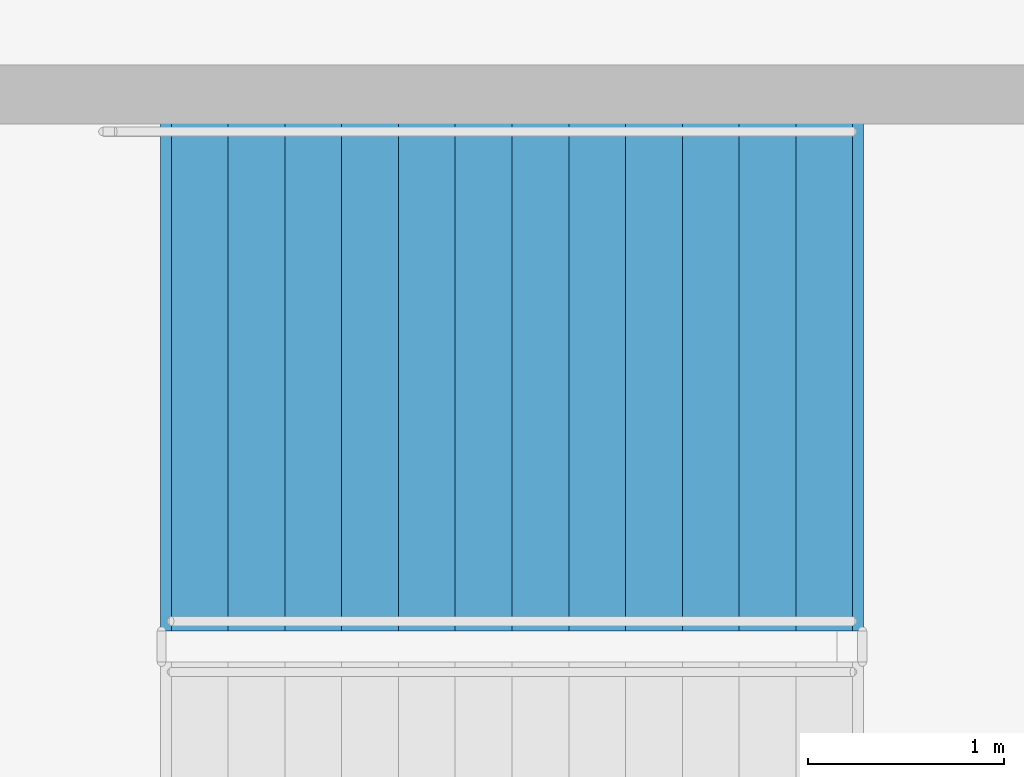
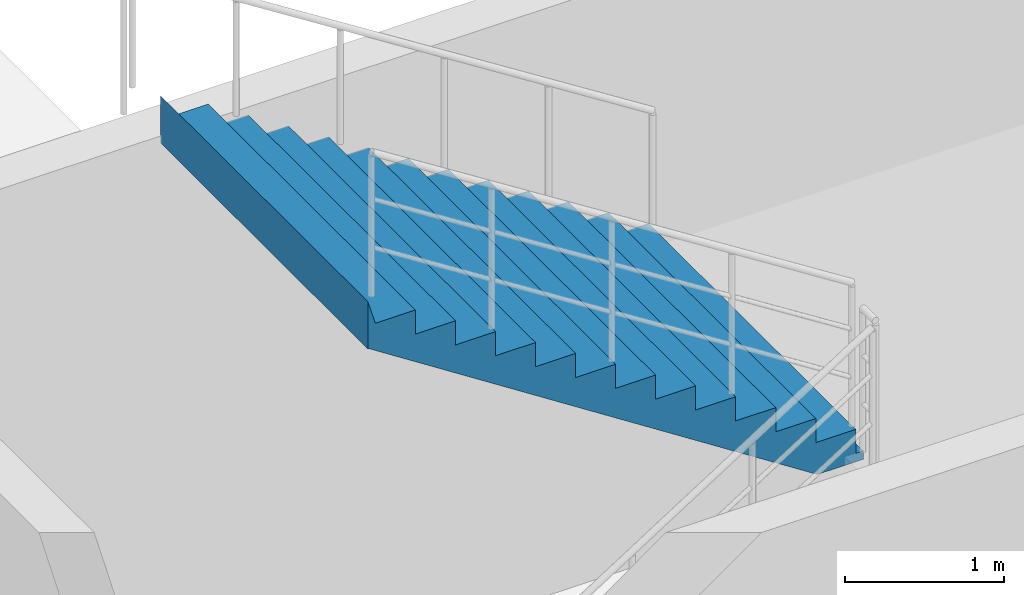
# One storey, part 53 of 68: 1 stair flight, 1 element without a shape of its own.
"""IFC4 building model written with IfcOpenShell, lengths in metres."""

import ifcopenshell
import ifcopenshell.guid

model = None  # the IFC model being written
_history = None  # IfcOwnerHistory: only IFC2X3 demands one
_inside = {}  # id of a spatial element -> (the spatial element, [elements in it])
_under = {}  # id of a project, library or spatial element -> (it, [spatial elements below it])
_declared = {}  # id of a project -> (the project, [libraries it declares])
_typed = {}  # id of a type object -> (the type object, [elements of that type])
_made_of = {}  # id of a material, layer set ... -> (it, [elements and type objects made of it])


def new_model(schema):
    """Start an empty IFC model of exactly this schema.

    Asked for "IFC4X3", IfcOpenShell would pick the latest addendum, in which some entities
    have other attributes; the version numbers below select the first issue.
    IFC2X3 requires an IfcOwnerHistory on every rooted entity: one is made here for all.
    """
    global model, _history
    if schema == "IFC4X3":
        model = ifcopenshell.file(schema_version=(4, 3, 0, 0))
    else:
        model = ifcopenshell.file(schema=schema)
    _inside.clear()
    _under.clear()
    _declared.clear()
    _typed.clear()
    _made_of.clear()
    _history = None
    if model.schema == "IFC2X3":
        org = make("IfcOrganization", Name="unknown")
        user = make(
            "IfcPersonAndOrganization",
            ThePerson=make("IfcPerson", FamilyName="unknown"),
            TheOrganization=org,
        )
        app = make(
            "IfcApplication",
            ApplicationDeveloper=org,
            Version="unknown",
            ApplicationFullName="unknown",
            ApplicationIdentifier="unknown",
        )
        _history = make(
            "IfcOwnerHistory",
            OwningUser=user,
            OwningApplication=app,
            ChangeAction="ADDED",
            CreationDate=0,
        )
    return model


def make(cls, **values):
    """One entity of the class cls with the attributes given. An attribute that is None is left unset."""
    return model.create_entity(
        cls, **{name: value for name, value in values.items() if value is not None}
    )


def rooted(cls, **values):
    """An entity with a GlobalId (a new one), such as an element, a storey or a relation."""
    return make(cls, GlobalId=ifcopenshell.guid.new(), OwnerHistory=_history, **values)


def si_unit(unit_type, name, prefix=None):
    """IfcSIUnit, for example si_unit("LENGTHUNIT", "METRE", prefix="MILLI")."""
    return make("IfcSIUnit", UnitType=unit_type, Prefix=prefix, Name=name)


def assignment(units):
    """IfcUnitAssignment: the units of a project."""
    return None if units is None else make("IfcUnitAssignment", Units=units)


def point(xyz):
    """IfcCartesianPoint."""
    return None if xyz is None else make("IfcCartesianPoint", Coordinates=xyz)


def direction(xyz):
    """IfcDirection."""
    return None if xyz is None else make("IfcDirection", DirectionRatios=xyz)


def frame(location, z_axis=None, x_axis=None):
    """IfcAxis2Placement3D, a coordinate frame: its origin and axes. An axis left out is left unset."""
    return make(
        "IfcAxis2Placement3D",
        Location=point(location),
        Axis=direction(z_axis),
        RefDirection=direction(x_axis),
    )


def origin():
    """The frame at (0, 0, 0) with its axes left unset."""
    return frame((0.0, 0.0, 0.0))


def place(relative_to, where):
    """IfcLocalPlacement: puts the frame where relative to a parent placement (None: the world)."""
    return make(
        "IfcLocalPlacement", PlacementRelTo=relative_to, RelativePlacement=where
    )


def context(
    kind, dimensions, precision=None, world=None, true_north=None, identifier=None
):
    """IfcGeometricRepresentationContext, for example the 3D "Model" context."""
    return make(
        "IfcGeometricRepresentationContext",
        ContextIdentifier=identifier,
        ContextType=kind,
        CoordinateSpaceDimension=dimensions,
        Precision=precision,
        WorldCoordinateSystem=world,
        TrueNorth=true_north,
    )


def subcontext(parent, identifier, kind, view, scale=None):
    """IfcGeometricRepresentationSubContext, for example "Body" below "Model"."""
    return make(
        "IfcGeometricRepresentationSubContext",
        ContextIdentifier=identifier,
        ContextType=kind,
        ParentContext=parent,
        TargetScale=scale,
        TargetView=view,
    )


def project(units=None, contexts=None):
    """IfcProject with its units and contexts."""
    return rooted(
        "IfcProject",
        Name="project",
        RepresentationContexts=contexts,
        UnitsInContext=assignment(units),
    )


def spatial(cls, under=None, at=None, **own):
    """A site, building, storey or space (cls), placed at a placement, below another one or the project."""
    s = rooted(cls, ObjectPlacement=at, **own)
    if under is not None:
        _under.setdefault(under.id(), (under, []))[1].append(s)
    return s


def polyline(points):
    """IfcPolyline through the points."""
    return make("IfcPolyline", Points=[point(p) for p in points])


def outline(outer, holes=None, kind="AREA"):
    """IfcArbitraryClosedProfileDef: a profile drawn as a closed curve; with holes, ...WithVoids."""
    if holes is None:
        return make("IfcArbitraryClosedProfileDef", ProfileType=kind, OuterCurve=outer)
    return make(
        "IfcArbitraryProfileDefWithVoids",
        ProfileType=kind,
        OuterCurve=outer,
        InnerCurves=holes,
    )


def extrude(swept, where, along, depth):
    """IfcExtrudedAreaSolid: the profile swept, set in the frame where, extruded along a direction by depth."""
    return make(
        "IfcExtrudedAreaSolid",
        SweptArea=swept,
        Position=where,
        ExtrudedDirection=direction(along),
        Depth=depth,
    )


def shape(context_of_items, identifier, shape_type, items):
    """IfcShapeRepresentation: the items that make up one representation, for example the "Body"."""
    return make(
        "IfcShapeRepresentation",
        ContextOfItems=context_of_items,
        RepresentationIdentifier=identifier,
        RepresentationType=shape_type,
        Items=items,
    )


def material(Name=None, Category=None):
    """IfcMaterial."""
    return make("IfcMaterial", Name=Name, Category=Category)


def made_of(thing, what):
    """Note that an element or type object is made of a material, layer set ...; save() writes the relation."""
    if what is not None:
        _made_of.setdefault(what.id(), (what, []))[1].append(thing)
    return thing


def type_object(cls, material=None, **own):
    """A type object (cls), such as IfcWallType, which elements share."""
    return made_of(rooted(cls, **own), material)


def element(
    cls,
    number,
    at=None,
    inside=None,
    cuts=None,
    type_object=None,
    material=None,
    context=None,
    identifier="Body",
    shape_type=None,
    held_by="IfcProductDefinitionShape",
    body=None,
    shapes=None,
    **own,
):
    """One element of the class cls, such as IfcWall. Its Tag is "e" and its number.

    at: its placement. inside: the storey or other place that contains it. cuts: it is an
    opening in that element (IfcRelVoidsElement). A single representation is given by context,
    identifier, shape_type and body (its items); several are given by shapes. held_by: the class
    of the entity that holds the representations. save() writes the other relations.
    """
    e = rooted(cls, Tag="e%d" % number, ObjectPlacement=at, **own)
    if body is not None:
        shapes = [shape(context, identifier, shape_type, body)]
    if shapes is not None:
        e.Representation = make(held_by, Representations=shapes)
    if inside is not None:
        _inside.setdefault(inside.id(), (inside, []))[1].append(e)
    if cuts is not None:
        rooted(
            "IfcRelVoidsElement", RelatingBuildingElement=cuts, RelatedOpeningElement=e
        )
    if type_object is not None:
        _typed.setdefault(type_object.id(), (type_object, []))[1].append(e)
    return made_of(e, material)


def aggregate(whole, parts):
    """IfcRelAggregates: a whole, such as a stair, and the parts it consists of."""
    return rooted("IfcRelAggregates", RelatingObject=whole, RelatedObjects=parts)


def save(model, path):
    """Write the relations noted so far, then the file.

    IfcRelAggregates (storeys below a building ...), IfcRelContainedInSpatialStructure (elements
    in a storey), IfcRelDefinesByType, IfcRelAssociatesMaterial and IfcRelDeclares: one each for
    every whole, place, type object, material and project.
    """
    for whole, parts in _under.values():
        aggregate(whole, parts)
    for where, things in _inside.values():
        rooted(
            "IfcRelContainedInSpatialStructure",
            RelatedElements=things,
            RelatingStructure=where,
        )
    for kind, things in _typed.values():
        rooted("IfcRelDefinesByType", RelatedObjects=things, RelatingType=kind)
    for what, things in _made_of.values():
        rooted("IfcRelAssociatesMaterial", RelatedObjects=things, RelatingMaterial=what)
    for by, libraries in _declared.values():
        rooted("IfcRelDeclares", RelatingContext=by, RelatedDefinitions=libraries)
    model.write(path)


model = new_model("IFC4")

# Units and contexts
model_context = context("Model", 3, precision=1e-05, world=origin(), true_north=direction((0.0, 1.0)))
body_context = subcontext(model_context, "Body", "Model", "MODEL_VIEW")
ifc_project = project(units=[si_unit("LENGTHUNIT", "METRE"), si_unit("AREAUNIT", "SQUARE_METRE"), si_unit("VOLUMEUNIT", "CUBIC_METRE"), si_unit("PLANEANGLEUNIT", "RADIAN"), si_unit("MASSUNIT", "GRAM", prefix="KILO")], contexts=[model_context])

# Site, building, storey
site_placement = place(None, origin())
site = spatial("IfcSite", under=ifc_project, at=site_placement, CompositionType="ELEMENT")
building_placement = place(site_placement, origin())
building = spatial("IfcBuilding", under=site, at=building_placement, Name="Cinderbank Siding Concert Hall", CompositionType="ELEMENT")
storey_placement = place(building_placement, frame((0.0, 0.0, -4.800048828125)))
storey = spatial("IfcBuildingStorey", under=building, at=storey_placement, Name="B1", CompositionType="ELEMENT", Elevation=-4.800048828125)

# Stair, stair flight
ifc_material = material(Name="Reinforced concrete AS 3600 N50 (50 MPa)", Category="concrete")
stair_type = type_object("IfcStairType", Name="STR-B Dogleg Exit Stair 2600mm", PredefinedType="HALF_TURN_STAIR", material=ifc_material)
stair_placement = place(storey_placement, origin())
stair = element("IfcStair", 1, at=stair_placement, inside=storey, type_object=stair_type, Name="B1 Southeast Concourse Exit Stair ST-10", PredefinedType="HALF_TURN_STAIR")
stair_flight_type = type_object("IfcStairFlightType", Name="SFL-B Concrete Stair Flight 2600mm", PredefinedType="STRAIGHT", material=ifc_material)
stair_flight_placement = place(storey_placement, frame((158.580078125, 21.860107421875, 2.400146484375), z_axis=(0.0, 0.0, 1.0), x_axis=(-1.0, 0.0, 0.0)))
stair_flight = element("IfcStairFlight", 2, at=stair_flight_placement, type_object=stair_flight_type, Name="ST-10 flight 2", NumberOfRisers=13, NumberOfTreads=12, PredefinedType="STRAIGHT", RiserHeight=0.184615385, TreadLength=0.29, context=body_context, shape_type="SweptSolid", body=[
    extrude(outline(polyline([(0.0, 0.0), (0.0, 0.1845703125), (0.2900390625, 0.1845703125), (0.2900390625, 0.369140625), (0.580078125, 0.369140625), (0.580078125, 0.553955078125), (0.8701171875, 0.553955078125), (0.8701171875, 0.738525390625), (1.159912109375, 0.738525390625), (1.159912109375, 0.923095703125), (1.449951171875, 0.923095703125), (1.449951171875, 1.107666015625), (1.739990234375, 1.107666015625), (1.739990234375, 1.292236328125), (2.030029296875, 1.292236328125), (2.030029296875, 1.476806640625), (2.320068359375, 1.476806640625), (2.320068359375, 1.66162109375), (2.610107421875, 1.66162109375), (2.610107421875, 1.84619140625), (2.89990234375, 1.84619140625), (2.89990234375, 2.03076171875), (3.18994140625, 2.03076171875), (3.18994140625, 2.21533203125), (3.47998046875, 2.21533203125), (3.534912109375, 2.39990234375), (3.534912109375, 2.03759765625), (3.53466796875, 2.037841796875), (3.53466796875, 2.0380859375), (3.53466796875, 2.038330078125), (3.53466796875, 2.03857421875), (3.53466796875, 2.038818359375), (3.53466796875, 2.0390625), (3.53466796875, 2.039306640625), (3.53466796875, 2.03955078125), (3.53466796875, 2.039794921875), (3.53466796875, 2.0400390625), (3.53466796875, 2.040283203125), (3.53466796875, 2.04052734375), (3.534423828125, 2.04052734375), (3.534423828125, 2.040283203125), (3.534423828125, 2.0400390625), (3.534423828125, 2.039794921875), (3.534423828125, 2.03955078125), (3.534423828125, 2.039306640625), (3.534423828125, 2.0390625), (3.534423828125, 2.038818359375), (3.534423828125, 2.03857421875), (3.534423828125, 2.038330078125), (3.534423828125, 2.0380859375), (3.534423828125, 2.037841796875), (3.534423828125, 2.03759765625), (3.5341796875, 2.037841796875), (3.5341796875, 2.0380859375), (3.5341796875, 2.038330078125), (3.5341796875, 2.03857421875), (3.5341796875, 2.038818359375), (3.5341796875, 2.0390625), (3.5341796875, 2.039306640625), (3.5341796875, 2.03955078125), (3.5341796875, 2.039794921875), (3.5341796875, 2.0400390625), (3.5341796875, 2.040283203125), (3.5341796875, 2.04052734375), (3.533935546875, 2.04052734375), (3.533935546875, 2.040283203125), (3.533935546875, 2.0400390625), (3.533935546875, 2.039794921875), (3.533935546875, 2.03955078125), (3.533935546875, 2.039306640625), (3.533935546875, 2.0390625), (3.533935546875, 2.038818359375), (3.533935546875, 2.03857421875), (3.533935546875, 2.038330078125), (3.533935546875, 2.0380859375), (3.533935546875, 2.037841796875), (3.533935546875, 2.03759765625), (3.53369140625, 2.037841796875), (3.53369140625, 2.0380859375), (3.53369140625, 2.038330078125), (3.53369140625, 2.03857421875), (3.53369140625, 2.038818359375), (3.53369140625, 2.0390625), (3.53369140625, 2.039306640625), (3.53369140625, 2.03955078125), (3.53369140625, 2.039794921875), (3.53369140625, 2.0400390625), (3.53369140625, 2.040283203125), (3.53369140625, 2.04052734375), (3.533447265625, 2.04052734375), (3.533447265625, 2.040283203125), (3.533447265625, 2.0400390625), (3.533447265625, 2.039794921875), (3.533447265625, 2.03955078125), (3.533447265625, 2.039306640625), (3.533447265625, 2.0390625), (3.533447265625, 2.038818359375), (3.533447265625, 2.03857421875), (3.533447265625, 2.038330078125), (3.533447265625, 2.0380859375), (3.533447265625, 2.037841796875), (3.533447265625, 2.03759765625), (3.533203125, 2.037841796875), (3.533203125, 2.0380859375), (3.533203125, 2.038330078125), (3.533203125, 2.03857421875), (3.533203125, 2.038818359375), (3.533203125, 2.0390625), (3.533203125, 2.039306640625), (3.533203125, 2.03955078125), (3.533203125, 2.039794921875), (3.533203125, 2.0400390625), (3.533203125, 2.040283203125), (3.533203125, 2.04052734375), (3.532958984375, 2.04052734375), (3.532958984375, 2.040283203125), (3.532958984375, 2.0400390625), (3.532958984375, 2.039794921875), (3.532958984375, 2.03955078125), (3.532958984375, 2.039306640625), (3.532958984375, 2.0390625), (3.532958984375, 2.038818359375), (3.532958984375, 2.03857421875), (3.532958984375, 2.038330078125), (3.532958984375, 2.0380859375), (3.532958984375, 2.037841796875), (3.532958984375, 2.03759765625), (3.53271484375, 2.037841796875), (3.53271484375, 2.0380859375), (3.53271484375, 2.038330078125), (3.53271484375, 2.03857421875), (3.53271484375, 2.038818359375), (3.53271484375, 2.0390625), (3.53271484375, 2.039306640625), (3.53271484375, 2.03955078125), (3.53271484375, 2.039794921875), (3.53271484375, 2.0400390625), (3.53271484375, 2.040283203125), (3.53271484375, 2.04052734375), (3.532470703125, 2.04052734375), (3.532470703125, 2.040283203125), (3.532470703125, 2.0400390625), (3.532470703125, 2.039794921875), (3.532470703125, 2.03955078125), (3.532470703125, 2.039306640625), (3.532470703125, 2.0390625), (3.532470703125, 2.038818359375), (3.532470703125, 2.03857421875), (3.532470703125, 2.038330078125), (3.532470703125, 2.0380859375), (3.532470703125, 2.037841796875), (3.532470703125, 2.03759765625), (3.5322265625, 2.037841796875), (3.5322265625, 2.0380859375), (3.5322265625, 2.038330078125), (3.5322265625, 2.03857421875), (3.5322265625, 2.038818359375), (3.5322265625, 2.0390625), (3.5322265625, 2.039306640625), (3.5322265625, 2.03955078125), (3.5322265625, 2.039794921875), (3.5322265625, 2.0400390625), (3.5322265625, 2.040283203125), (3.5322265625, 2.04052734375), (3.531982421875, 2.04052734375), (3.531982421875, 2.040283203125), (3.531982421875, 2.0400390625), (3.531982421875, 2.039794921875), (3.531982421875, 2.03955078125), (3.531982421875, 2.039306640625), (3.531982421875, 2.0390625), (3.531982421875, 2.038818359375), (3.531982421875, 2.03857421875), (3.531982421875, 2.038330078125), (3.531982421875, 2.0380859375), (3.531982421875, 2.037841796875), (3.531982421875, 2.03759765625), (3.53173828125, 2.037841796875), (3.53173828125, 2.0380859375), (3.53173828125, 2.038330078125), (3.53173828125, 2.03857421875), (3.53173828125, 2.038818359375), (3.53173828125, 2.0390625), (3.53173828125, 2.039306640625), (3.53173828125, 2.03955078125), (3.53173828125, 2.039794921875), (3.53173828125, 2.0400390625), (3.53173828125, 2.040283203125), (3.53173828125, 2.04052734375), (3.531494140625, 2.04052734375), (3.531494140625, 2.040283203125), (3.531494140625, 2.0400390625), (3.531494140625, 2.039794921875), (3.531494140625, 2.03955078125), (3.531494140625, 2.039306640625), (3.531494140625, 2.0390625), (3.531494140625, 2.038818359375), (3.531494140625, 2.03857421875), (3.531494140625, 2.038330078125), (3.531494140625, 2.0380859375), (3.531494140625, 2.037841796875), (3.531494140625, 2.03759765625), (3.53125, 2.037841796875), (3.53125, 2.0380859375), (3.53125, 2.038330078125), (3.53125, 2.03857421875), (3.53125, 2.038818359375), (3.53125, 2.0390625), (3.53125, 2.039306640625), (3.53125, 2.03955078125), (3.53125, 2.039794921875), (3.53125, 2.0400390625), (3.53125, 2.040283203125), (3.53125, 2.04052734375), (3.531005859375, 2.04052734375), (3.531005859375, 2.040283203125), (3.531005859375, 2.0400390625), (3.531005859375, 2.039794921875), (3.531005859375, 2.03955078125), (3.531005859375, 2.039306640625), (3.531005859375, 2.0390625), (3.531005859375, 2.038818359375), (3.531005859375, 2.03857421875), (3.531005859375, 2.038330078125), (3.531005859375, 2.0380859375), (3.531005859375, 2.037841796875), (3.531005859375, 2.03759765625), (3.53076171875, 2.037841796875), (3.53076171875, 2.0380859375), (3.53076171875, 2.038330078125), (3.53076171875, 2.03857421875), (3.53076171875, 2.038818359375), (3.53076171875, 2.0390625), (3.53076171875, 2.039306640625), (3.53076171875, 2.03955078125), (3.53076171875, 2.039794921875), (3.53076171875, 2.0400390625), (3.53076171875, 2.040283203125), (3.53076171875, 2.04052734375), (3.530517578125, 2.04052734375), (3.530517578125, 2.040283203125), (3.530517578125, 2.0400390625), (3.530517578125, 2.039794921875), (3.530517578125, 2.03955078125), (3.530517578125, 2.039306640625), (3.530517578125, 2.0390625), (3.530517578125, 2.038818359375), (3.530517578125, 2.03857421875), (3.530517578125, 2.038330078125), (3.530517578125, 2.0380859375), (3.530517578125, 2.037841796875), (3.530517578125, 2.03759765625), (3.5302734375, 2.037841796875), (3.5302734375, 2.0380859375), (3.5302734375, 2.038330078125), (3.5302734375, 2.03857421875), (3.5302734375, 2.038818359375), (3.5302734375, 2.0390625), (3.5302734375, 2.039306640625), (3.5302734375, 2.03955078125), (3.5302734375, 2.039794921875), (3.5302734375, 2.0400390625), (3.5302734375, 2.040283203125), (3.5302734375, 2.04052734375), (3.530029296875, 2.04052734375), (3.530029296875, 2.040283203125), (3.530029296875, 2.0400390625), (3.530029296875, 2.039794921875), (3.530029296875, 2.03955078125), (3.530029296875, 2.039306640625), (3.530029296875, 2.0390625), (3.530029296875, 2.038818359375), (3.530029296875, 2.03857421875), (3.530029296875, 2.038330078125), (3.530029296875, 2.0380859375), (3.530029296875, 2.037841796875), (3.530029296875, 2.03759765625), (3.52978515625, 2.037841796875), (3.52978515625, 2.0380859375), (3.52978515625, 2.038330078125), (3.52978515625, 2.03857421875), (3.52978515625, 2.038818359375), (3.52978515625, 2.0390625), (3.52978515625, 2.039306640625), (3.52978515625, 2.03955078125), (3.52978515625, 2.039794921875), (3.52978515625, 2.0400390625), (3.52978515625, 2.040283203125), (3.52978515625, 2.04052734375), (3.529541015625, 2.04052734375), (3.529541015625, 2.040283203125), (3.529541015625, 2.0400390625), (3.529541015625, 2.039794921875), (3.529541015625, 2.03955078125), (3.529541015625, 2.039306640625), (3.529541015625, 2.0390625), (3.529541015625, 2.038818359375), (3.529541015625, 2.03857421875), (3.529541015625, 2.038330078125), (3.529541015625, 2.0380859375), (3.529541015625, 2.037841796875), (3.529541015625, 2.03759765625), (3.529296875, 2.037841796875), (3.529296875, 2.0380859375), (3.529296875, 2.038330078125), (3.529296875, 2.03857421875), (3.529296875, 2.038818359375), (3.529296875, 2.0390625), (3.529296875, 2.039306640625), (3.529296875, 2.03955078125), (3.529296875, 2.039794921875), (3.529296875, 2.0400390625), (3.529296875, 2.040283203125), (3.529296875, 2.04052734375), (3.529052734375, 2.04052734375), (3.529052734375, 2.040283203125), (3.529052734375, 2.0400390625), (3.529052734375, 2.039794921875), (3.529052734375, 2.03955078125), (3.529052734375, 2.039306640625), (3.529052734375, 2.0390625), (3.529052734375, 2.038818359375), (3.529052734375, 2.03857421875), (3.529052734375, 2.038330078125), (3.529052734375, 2.0380859375), (3.529052734375, 2.037841796875), (3.529052734375, 2.03759765625), (3.52880859375, 2.037841796875), (3.52880859375, 2.0380859375), (3.52880859375, 2.038330078125), (3.52880859375, 2.03857421875), (3.52880859375, 2.038818359375), (3.52880859375, 2.0390625), (3.52880859375, 2.039306640625), (3.52880859375, 2.03955078125), (3.52880859375, 2.039794921875), (3.52880859375, 2.0400390625), (3.52880859375, 2.040283203125), (3.52880859375, 2.04052734375), (3.528564453125, 2.04052734375), (3.528564453125, 2.040283203125), (3.528564453125, 2.0400390625), (3.528564453125, 2.039794921875), (3.528564453125, 2.03955078125), (3.528564453125, 2.039306640625), (3.528564453125, 2.0390625), (3.528564453125, 2.038818359375), (3.528564453125, 2.03857421875), (3.528564453125, 2.038330078125), (3.528564453125, 2.0380859375), (3.528564453125, 2.037841796875), (3.528564453125, 2.03759765625), (0.279052734375, -0.06396484375), (-0.048583984375, -0.063720703125), (-0.048583984375, -0.0634765625), (-0.048583984375, -0.063232421875), (-0.048583984375, -0.06298828125), (-0.048583984375, -0.062744140625), (-0.048583984375, -0.0625), (-0.048583984375, -0.062255859375), (-0.048583984375, -0.06201171875), (-0.048583984375, -0.061767578125), (-0.048583984375, -0.0615234375), (-0.048583984375, -0.061279296875), (-0.048583984375, -0.06103515625), (-0.048828125, -0.06103515625), (-0.048828125, -0.061279296875), (-0.048828125, -0.0615234375), (-0.048828125, -0.061767578125), (-0.048828125, -0.06201171875), (-0.048828125, -0.062255859375), (-0.048828125, -0.0625), (-0.048828125, -0.062744140625), (-0.048828125, -0.06298828125), (-0.048828125, -0.063232421875), (-0.048828125, -0.0634765625), (-0.048828125, -0.063720703125), (-0.048828125, -0.06396484375), (-0.049072265625, -0.063720703125), (-0.049072265625, -0.0634765625), (-0.049072265625, -0.063232421875), (-0.049072265625, -0.06298828125), (-0.049072265625, -0.062744140625), (-0.049072265625, -0.0625), (-0.049072265625, -0.062255859375), (-0.049072265625, -0.06201171875), (-0.049072265625, -0.061767578125), (-0.049072265625, -0.0615234375), (-0.049072265625, -0.061279296875), (-0.049072265625, -0.06103515625), (-0.04931640625, -0.06103515625), (-0.04931640625, -0.061279296875), (-0.04931640625, -0.0615234375), (-0.04931640625, -0.061767578125), (-0.04931640625, -0.06201171875), (-0.04931640625, -0.062255859375), (-0.04931640625, -0.0625), (-0.04931640625, -0.062744140625), (-0.04931640625, -0.06298828125), (-0.04931640625, -0.063232421875), (-0.04931640625, -0.0634765625), (-0.04931640625, -0.063720703125), (-0.04931640625, -0.06396484375), (-0.049560546875, -0.063720703125), (-0.049560546875, -0.0634765625), (-0.049560546875, -0.063232421875), (-0.049560546875, -0.06298828125), (-0.049560546875, -0.062744140625), (-0.049560546875, -0.0625), (-0.049560546875, -0.062255859375), (-0.049560546875, -0.06201171875), (-0.049560546875, -0.061767578125), (-0.049560546875, -0.0615234375), (-0.049560546875, -0.061279296875), (-0.049560546875, -0.06103515625), (-0.0498046875, -0.06103515625), (-0.0498046875, -0.061279296875), (-0.0498046875, -0.0615234375), (-0.0498046875, -0.061767578125), (-0.0498046875, -0.06201171875), (-0.0498046875, -0.062255859375), (-0.0498046875, -0.0625), (-0.0498046875, -0.062744140625), (-0.0498046875, -0.06298828125), (-0.0498046875, -0.063232421875), (-0.0498046875, -0.0634765625), (-0.0498046875, -0.063720703125), (-0.0498046875, -0.06396484375), (-0.050048828125, -0.063720703125), (-0.050048828125, -0.0634765625), (-0.050048828125, -0.063232421875), (-0.050048828125, -0.06298828125), (-0.050048828125, -0.062744140625), (-0.050048828125, -0.0625), (-0.050048828125, -0.062255859375), (-0.050048828125, -0.06201171875), (-0.050048828125, -0.061767578125), (-0.050048828125, -0.0615234375), (-0.050048828125, -0.061279296875), (-0.050048828125, -0.06103515625), (-0.05029296875, -0.06103515625), (-0.05029296875, -0.061279296875), (-0.05029296875, -0.0615234375), (-0.05029296875, -0.061767578125), (-0.05029296875, -0.06201171875), (-0.05029296875, -0.062255859375), (-0.05029296875, -0.0625), (-0.05029296875, -0.062744140625), (-0.05029296875, -0.06298828125), (-0.05029296875, -0.063232421875), (-0.05029296875, -0.0634765625), (-0.05029296875, -0.063720703125), (-0.05029296875, -0.06396484375), (-0.050537109375, -0.063720703125), (-0.050537109375, -0.0634765625), (-0.050537109375, -0.063232421875), (-0.050537109375, -0.06298828125), (-0.050537109375, -0.062744140625), (-0.050537109375, -0.0625), (-0.050537109375, -0.062255859375), (-0.050537109375, -0.06201171875), (-0.050537109375, -0.061767578125), (-0.050537109375, -0.0615234375), (-0.050537109375, -0.061279296875), (-0.050537109375, -0.06103515625), (-0.05078125, -0.06103515625), (-0.05078125, -0.061279296875), (-0.05078125, -0.0615234375), (-0.05078125, -0.061767578125), (-0.05078125, -0.06201171875), (-0.05078125, -0.062255859375), (-0.05078125, -0.0625), (-0.05078125, -0.062744140625), (-0.05078125, -0.06298828125), (-0.05078125, -0.063232421875), (-0.05078125, -0.0634765625), (-0.05078125, -0.063720703125), (-0.05078125, -0.06396484375), (-0.051025390625, -0.063720703125), (-0.051025390625, -0.0634765625), (-0.051025390625, -0.063232421875), (-0.051025390625, -0.06298828125), (-0.051025390625, -0.062744140625), (-0.051025390625, -0.0625), (-0.051025390625, -0.062255859375), (-0.051025390625, -0.06201171875), (-0.051025390625, -0.061767578125), (-0.051025390625, -0.0615234375), (-0.051025390625, -0.061279296875), (-0.051025390625, -0.06103515625), (-0.05126953125, -0.06103515625), (-0.05126953125, -0.061279296875), (-0.05126953125, -0.0615234375), (-0.05126953125, -0.061767578125), (-0.05126953125, -0.06201171875), (-0.05126953125, -0.062255859375), (-0.05126953125, -0.0625), (-0.05126953125, -0.062744140625), (-0.05126953125, -0.06298828125), (-0.05126953125, -0.063232421875), (-0.05126953125, -0.0634765625), (-0.05126953125, -0.063720703125), (-0.05126953125, -0.06396484375), (-0.051513671875, -0.063720703125), (-0.051513671875, -0.0634765625), (-0.051513671875, -0.063232421875), (-0.051513671875, -0.06298828125), (-0.051513671875, -0.062744140625), (-0.051513671875, -0.0625), (-0.051513671875, -0.062255859375), (-0.051513671875, -0.06201171875), (-0.051513671875, -0.061767578125), (-0.051513671875, -0.0615234375), (-0.051513671875, -0.061279296875), (-0.051513671875, -0.06103515625), (-0.0517578125, -0.06103515625), (-0.0517578125, -0.061279296875), (-0.0517578125, -0.0615234375), (-0.0517578125, -0.061767578125), (-0.0517578125, -0.06201171875), (-0.0517578125, -0.062255859375), (-0.0517578125, -0.0625), (-0.0517578125, -0.062744140625), (-0.0517578125, -0.06298828125), (-0.0517578125, -0.063232421875), (-0.0517578125, -0.0634765625), (-0.0517578125, -0.063720703125), (-0.0517578125, -0.06396484375), (-0.052001953125, -0.063720703125), (-0.052001953125, -0.0634765625), (-0.052001953125, -0.063232421875), (-0.052001953125, -0.06298828125), (-0.052001953125, -0.062744140625), (-0.052001953125, -0.0625), (-0.052001953125, -0.062255859375), (-0.052001953125, -0.06201171875), (-0.052001953125, -0.061767578125), (-0.052001953125, -0.0615234375), (-0.052001953125, -0.061279296875), (-0.052001953125, -0.06103515625), (-0.05224609375, -0.06103515625), (-0.05224609375, -0.061279296875), (-0.05224609375, -0.0615234375), (-0.05224609375, -0.061767578125), (-0.05224609375, -0.06201171875), (-0.05224609375, -0.062255859375), (-0.05224609375, -0.0625), (-0.05224609375, -0.062744140625), (-0.05224609375, -0.06298828125), (-0.05224609375, -0.063232421875), (-0.05224609375, -0.0634765625), (-0.05224609375, -0.063720703125), (-0.05224609375, -0.06396484375), (-0.052490234375, -0.063720703125), (-0.052490234375, -0.0634765625), (-0.052490234375, -0.063232421875), (-0.052490234375, -0.06298828125), (-0.052490234375, -0.062744140625), (-0.052490234375, -0.0625), (-0.052490234375, -0.062255859375), (-0.052490234375, -0.06201171875), (-0.052490234375, -0.061767578125), (-0.052490234375, -0.0615234375), (-0.052490234375, -0.061279296875), (-0.052490234375, -0.06103515625), (-0.052734375, -0.06103515625), (-0.052734375, -0.061279296875), (-0.052734375, -0.0615234375), (-0.052734375, -0.061767578125), (-0.052734375, -0.06201171875), (-0.052734375, -0.062255859375), (-0.052734375, -0.0625), (-0.052734375, -0.062744140625), (-0.052734375, -0.06298828125), (-0.052734375, -0.063232421875), (-0.052734375, -0.0634765625), (-0.052734375, -0.063720703125), (-0.052734375, -0.06396484375), (-0.052978515625, -0.063720703125), (-0.052978515625, -0.0634765625), (-0.052978515625, -0.063232421875), (-0.052978515625, -0.06298828125), (-0.052978515625, -0.062744140625), (-0.052978515625, -0.0625), (-0.052978515625, -0.062255859375), (-0.052978515625, -0.06201171875), (-0.052978515625, -0.061767578125), (-0.052978515625, -0.0615234375), (-0.052978515625, -0.061279296875), (-0.052978515625, -0.06103515625), (-0.05322265625, -0.06103515625), (-0.05322265625, -0.061279296875), (-0.05322265625, -0.0615234375), (-0.05322265625, -0.061767578125), (-0.05322265625, -0.06201171875), (-0.05322265625, -0.062255859375), (-0.05322265625, -0.0625), (-0.05322265625, -0.062744140625), (-0.05322265625, -0.06298828125), (-0.05322265625, -0.063232421875), (-0.05322265625, -0.0634765625), (-0.05322265625, -0.063720703125), (-0.05322265625, -0.06396484375), (-0.053466796875, -0.063720703125), (-0.053466796875, -0.0634765625), (-0.053466796875, -0.063232421875), (-0.053466796875, -0.06298828125), (-0.053466796875, -0.062744140625), (-0.053466796875, -0.0625), (-0.053466796875, -0.062255859375), (-0.053466796875, -0.06201171875), (-0.053466796875, -0.061767578125), (-0.053466796875, -0.0615234375), (-0.053466796875, -0.061279296875), (-0.053466796875, -0.06103515625), (-0.0537109375, -0.06103515625), (-0.0537109375, -0.061279296875), (-0.0537109375, -0.0615234375), (-0.0537109375, -0.061767578125), (-0.0537109375, -0.06201171875), (-0.0537109375, -0.062255859375), (-0.0537109375, -0.0625), (-0.0537109375, -0.062744140625), (-0.0537109375, -0.06298828125), (-0.0537109375, -0.063232421875), (-0.0537109375, -0.0634765625), (-0.0537109375, -0.063720703125), (-0.0537109375, -0.06396484375), (-0.053955078125, -0.063720703125), (-0.053955078125, -0.0634765625), (-0.053955078125, -0.063232421875), (-0.053955078125, -0.06298828125), (-0.053955078125, -0.062744140625), (-0.053955078125, -0.0625), (-0.053955078125, -0.062255859375), (-0.053955078125, -0.06201171875), (-0.053955078125, -0.061767578125), (-0.053955078125, -0.0615234375), (-0.053955078125, -0.061279296875), (-0.053955078125, -0.06103515625), (-0.05419921875, -0.06103515625), (-0.05419921875, -0.061279296875), (-0.05419921875, -0.0615234375), (-0.05419921875, -0.061767578125), (-0.05419921875, -0.06201171875), (-0.05419921875, -0.062255859375), (-0.05419921875, -0.0625), (-0.05419921875, -0.062744140625), (-0.05419921875, -0.06298828125), (-0.05419921875, -0.063232421875), (-0.05419921875, -0.0634765625), (-0.05419921875, -0.063720703125), (-0.05419921875, -0.06396484375), (-0.054443359375, -0.063720703125), (-0.054443359375, -0.0634765625), (-0.054443359375, -0.063232421875), (-0.054443359375, -0.06298828125), (-0.054443359375, -0.062744140625), (-0.054443359375, -0.0625), (-0.054443359375, -0.062255859375), (-0.054443359375, -0.06201171875), (-0.054443359375, -0.061767578125), (-0.054443359375, -0.0615234375), (-0.054443359375, -0.061279296875), (-0.054443359375, -0.06103515625), (-0.0546875, -0.06103515625), (-0.0546875, -0.061279296875), (-0.0546875, -0.0615234375), (-0.0546875, -0.061767578125), (-0.0546875, -0.06201171875), (-0.0546875, -0.062255859375), (-0.0546875, -0.0625), (-0.0546875, -0.062744140625), (-0.0546875, -0.06298828125), (-0.0546875, -0.063232421875), (-0.0546875, -0.0634765625), (-0.0546875, -0.063720703125), (-0.0546875, -0.06396484375), (-0.054931640625, -0.06396484375), (-0.054931640625, 0.0), (0.0, 0.0)])), frame((0.0, 1.300048828125, 0.0), z_axis=(0.0, -1.0, 0.0), x_axis=(1.0, 0.0, 0.0)), (0.0, 0.0, 1.0), 2.60009765625),
])
aggregate(stair, [stair_flight])

save(model, "model.ifc")
